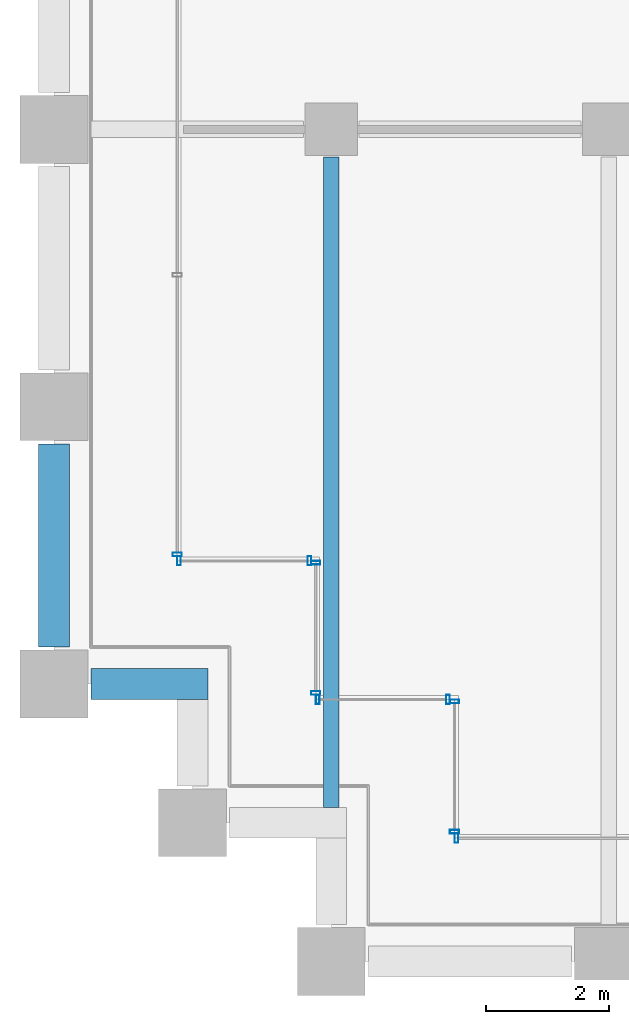
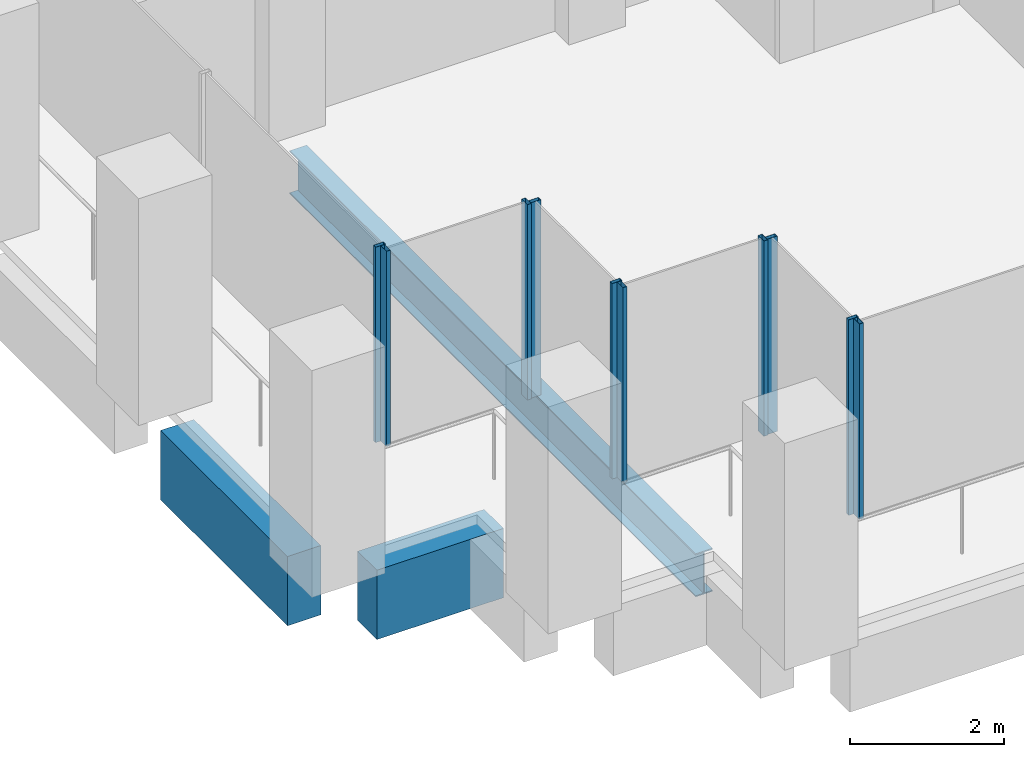
# One storey, part 2 of 55: 10 members, 3 beams, 6 elements without a shape of their own.
"""IFC4 building model written with IfcOpenShell, lengths in metres."""

import ifcopenshell
import ifcopenshell.guid

model = None  # the IFC model being written
_history = None  # IfcOwnerHistory: only IFC2X3 demands one
_inside = {}  # id of a spatial element -> (the spatial element, [elements in it])
_under = {}  # id of a project, library or spatial element -> (it, [spatial elements below it])
_declared = {}  # id of a project -> (the project, [libraries it declares])
_typed = {}  # id of a type object -> (the type object, [elements of that type])
_made_of = {}  # id of a material, layer set ... -> (it, [elements and type objects made of it])


def new_model(schema):
    """Start an empty IFC model of exactly this schema.

    Asked for "IFC4X3", IfcOpenShell would pick the latest addendum, in which some entities
    have other attributes; the version numbers below select the first issue.
    IFC2X3 requires an IfcOwnerHistory on every rooted entity: one is made here for all.
    """
    global model, _history
    if schema == "IFC4X3":
        model = ifcopenshell.file(schema_version=(4, 3, 0, 0))
    else:
        model = ifcopenshell.file(schema=schema)
    _inside.clear()
    _under.clear()
    _declared.clear()
    _typed.clear()
    _made_of.clear()
    _history = None
    if model.schema == "IFC2X3":
        org = make("IfcOrganization", Name="unknown")
        user = make(
            "IfcPersonAndOrganization",
            ThePerson=make("IfcPerson", FamilyName="unknown"),
            TheOrganization=org,
        )
        app = make(
            "IfcApplication",
            ApplicationDeveloper=org,
            Version="unknown",
            ApplicationFullName="unknown",
            ApplicationIdentifier="unknown",
        )
        _history = make(
            "IfcOwnerHistory",
            OwningUser=user,
            OwningApplication=app,
            ChangeAction="ADDED",
            CreationDate=0,
        )
    return model


def make(cls, **values):
    """One entity of the class cls with the attributes given. An attribute that is None is left unset."""
    return model.create_entity(
        cls, **{name: value for name, value in values.items() if value is not None}
    )


def rooted(cls, **values):
    """An entity with a GlobalId (a new one), such as an element, a storey or a relation."""
    return make(cls, GlobalId=ifcopenshell.guid.new(), OwnerHistory=_history, **values)


def si_unit(unit_type, name, prefix=None):
    """IfcSIUnit, for example si_unit("LENGTHUNIT", "METRE", prefix="MILLI")."""
    return make("IfcSIUnit", UnitType=unit_type, Prefix=prefix, Name=name)


def assignment(units):
    """IfcUnitAssignment: the units of a project."""
    return None if units is None else make("IfcUnitAssignment", Units=units)


def point(xyz):
    """IfcCartesianPoint."""
    return None if xyz is None else make("IfcCartesianPoint", Coordinates=xyz)


def direction(xyz):
    """IfcDirection."""
    return None if xyz is None else make("IfcDirection", DirectionRatios=xyz)


def frame(location, z_axis=None, x_axis=None):
    """IfcAxis2Placement3D, a coordinate frame: its origin and axes. An axis left out is left unset."""
    return make(
        "IfcAxis2Placement3D",
        Location=point(location),
        Axis=direction(z_axis),
        RefDirection=direction(x_axis),
    )


def frame_2d(location, x_axis=None):
    """IfcAxis2Placement2D, a coordinate frame in the plane: its origin and x axis."""
    return make(
        "IfcAxis2Placement2D", Location=point(location), RefDirection=direction(x_axis)
    )


def origin():
    """The frame at (0, 0, 0) with its axes left unset."""
    return frame((0.0, 0.0, 0.0))


def origin_2d():
    """The frame at (0, 0) in the plane with its x axis left unset."""
    return frame_2d((0.0, 0.0))


def place(relative_to, where):
    """IfcLocalPlacement: puts the frame where relative to a parent placement (None: the world)."""
    return make(
        "IfcLocalPlacement", PlacementRelTo=relative_to, RelativePlacement=where
    )


def context(
    kind, dimensions, precision=None, world=None, true_north=None, identifier=None
):
    """IfcGeometricRepresentationContext, for example the 3D "Model" context."""
    return make(
        "IfcGeometricRepresentationContext",
        ContextIdentifier=identifier,
        ContextType=kind,
        CoordinateSpaceDimension=dimensions,
        Precision=precision,
        WorldCoordinateSystem=world,
        TrueNorth=true_north,
    )


def subcontext(parent, identifier, kind, view, scale=None):
    """IfcGeometricRepresentationSubContext, for example "Body" below "Model"."""
    return make(
        "IfcGeometricRepresentationSubContext",
        ContextIdentifier=identifier,
        ContextType=kind,
        ParentContext=parent,
        TargetScale=scale,
        TargetView=view,
    )


def project(units=None, contexts=None):
    """IfcProject with its units and contexts."""
    return rooted(
        "IfcProject",
        Name="project",
        RepresentationContexts=contexts,
        UnitsInContext=assignment(units),
    )


def spatial(cls, under=None, at=None, **own):
    """A site, building, storey or space (cls), placed at a placement, below another one or the project."""
    s = rooted(cls, ObjectPlacement=at, **own)
    if under is not None:
        _under.setdefault(under.id(), (under, []))[1].append(s)
    return s


def profile(cls, at=None, kind="AREA", **sizes):
    """A parametric profile (cls). Its sizes go by their IFC names, for example OverallWidth=200.0."""
    return make(cls, ProfileType=kind, Position=at, **sizes)


def rectangle(**sizes):
    """IfcRectangleProfileDef."""
    return profile("IfcRectangleProfileDef", **sizes)


def hollow_rectangle(**sizes):
    """IfcRectangleHollowProfileDef."""
    return profile("IfcRectangleHollowProfileDef", **sizes)


def i_section(**sizes):
    """IfcIShapeProfileDef."""
    return profile("IfcIShapeProfileDef", **sizes)


def extrude(swept, where, along, depth):
    """IfcExtrudedAreaSolid: the profile swept, set in the frame where, extruded along a direction by depth."""
    return make(
        "IfcExtrudedAreaSolid",
        SweptArea=swept,
        Position=where,
        ExtrudedDirection=direction(along),
        Depth=depth,
    )


def shape(context_of_items, identifier, shape_type, items):
    """IfcShapeRepresentation: the items that make up one representation, for example the "Body"."""
    return make(
        "IfcShapeRepresentation",
        ContextOfItems=context_of_items,
        RepresentationIdentifier=identifier,
        RepresentationType=shape_type,
        Items=items,
    )


def material(Name=None, Category=None):
    """IfcMaterial."""
    return make("IfcMaterial", Name=Name, Category=Category)


def material_profile(
    of_material, cross_section, Name=None, Category=None, Priority=None
):
    """IfcMaterialProfile: a cross section and its material."""
    return make(
        "IfcMaterialProfile",
        Name=Name,
        Material=of_material,
        Profile=cross_section,
        Priority=Priority,
        Category=Category,
    )


def profile_set(profiles, Name=None, composite=None):
    """IfcMaterialProfileSet."""
    return make(
        "IfcMaterialProfileSet",
        Name=Name,
        MaterialProfiles=profiles,
        CompositeProfile=composite,
    )


def made_of(thing, what):
    """Note that an element or type object is made of a material, layer set ...; save() writes the relation."""
    if what is not None:
        _made_of.setdefault(what.id(), (what, []))[1].append(thing)
    return thing


def type_object(cls, material=None, **own):
    """A type object (cls), such as IfcWallType, which elements share."""
    return made_of(rooted(cls, **own), material)


def element(
    cls,
    number,
    at=None,
    inside=None,
    cuts=None,
    type_object=None,
    material=None,
    context=None,
    identifier="Body",
    shape_type=None,
    held_by="IfcProductDefinitionShape",
    body=None,
    shapes=None,
    **own,
):
    """One element of the class cls, such as IfcWall. Its Tag is "e" and its number.

    at: its placement. inside: the storey or other place that contains it. cuts: it is an
    opening in that element (IfcRelVoidsElement). A single representation is given by context,
    identifier, shape_type and body (its items); several are given by shapes. held_by: the class
    of the entity that holds the representations. save() writes the other relations.
    """
    e = rooted(cls, Tag="e%d" % number, ObjectPlacement=at, **own)
    if body is not None:
        shapes = [shape(context, identifier, shape_type, body)]
    if shapes is not None:
        e.Representation = make(held_by, Representations=shapes)
    if inside is not None:
        _inside.setdefault(inside.id(), (inside, []))[1].append(e)
    if cuts is not None:
        rooted(
            "IfcRelVoidsElement", RelatingBuildingElement=cuts, RelatedOpeningElement=e
        )
    if type_object is not None:
        _typed.setdefault(type_object.id(), (type_object, []))[1].append(e)
    return made_of(e, material)


def aggregate(whole, parts):
    """IfcRelAggregates: a whole, such as a stair, and the parts it consists of."""
    return rooted("IfcRelAggregates", RelatingObject=whole, RelatedObjects=parts)


def save(model, path):
    """Write the relations noted so far, then the file.

    IfcRelAggregates (storeys below a building ...), IfcRelContainedInSpatialStructure (elements
    in a storey), IfcRelDefinesByType, IfcRelAssociatesMaterial and IfcRelDeclares: one each for
    every whole, place, type object, material and project.
    """
    for whole, parts in _under.values():
        aggregate(whole, parts)
    for where, things in _inside.values():
        rooted(
            "IfcRelContainedInSpatialStructure",
            RelatedElements=things,
            RelatingStructure=where,
        )
    for kind, things in _typed.values():
        rooted("IfcRelDefinesByType", RelatedObjects=things, RelatingType=kind)
    for what, things in _made_of.values():
        rooted("IfcRelAssociatesMaterial", RelatedObjects=things, RelatingMaterial=what)
    for by, libraries in _declared.values():
        rooted("IfcRelDeclares", RelatingContext=by, RelatedDefinitions=libraries)
    model.write(path)


model = new_model("IFC4")

# Units and contexts
model_context = context("Model", 3, precision=1e-05, world=origin(), true_north=direction((0.0, 1.0)))
body_context = subcontext(model_context, "Body", "Model", "MODEL_VIEW")
ifc_project = project(units=[si_unit("LENGTHUNIT", "METRE"), si_unit("AREAUNIT", "SQUARE_METRE"), si_unit("VOLUMEUNIT", "CUBIC_METRE"), si_unit("PLANEANGLEUNIT", "RADIAN"), si_unit("MASSUNIT", "GRAM", prefix="KILO")], contexts=[model_context])

# Site, building, storey
site_placement = place(None, origin())
site = spatial("IfcSite", under=ifc_project, at=site_placement, CompositionType="ELEMENT")
building_placement = place(site_placement, origin())
building = spatial("IfcBuilding", under=site, at=building_placement, Name="Altepetl Exchange Towers", CompositionType="ELEMENT")
storey_placement = place(building_placement, frame((0.0, 0.0, 47.39990234375)))
storey = spatial("IfcBuildingStorey", under=building, at=storey_placement, Name="L10", CompositionType="ELEMENT", Elevation=47.39990234375)

# Beam
ifc_material_1 = material(Name="Steel S355", Category="steel")
ifc_material_profile_1 = material_profile(ifc_material_1, i_section(OverallWidth=0.25390625, OverallDepth=0.68408203125, WebThickness=0.012451171875, FlangeThickness=0.018798828125, at=origin_2d()), Name="W27X94")
ifc_profile_set_1 = profile_set([ifc_material_profile_1], Name="Steel S355")
beam_type_1 = type_object("IfcBeamType", Name="Floor beam W27X94", PredefinedType="BEAM", material=ifc_profile_set_1)
beam_1_placement = place(storey_placement, frame((31.5, 29.5, -0.491943359375), z_axis=(0.0, 1.0, 0.0), x_axis=(-1.0, 0.0, 0.0)))
element("IfcBeam", 1, at=beam_1_placement, inside=storey, type_object=beam_type_1, Name="bm:A:L10:012", PredefinedType="BEAM", context=body_context, shape_type="SweptSolid", body=[
    extrude(i_section(OverallWidth=0.25390625, OverallDepth=0.68408203125, WebThickness=0.012451171875, FlangeThickness=0.018798828125, at=origin_2d()), origin(), (0.0, 0.0, 1.0), 10.550048828125),
])

# Curtain wall, member
ifc_material_2 = material(Name="Aluminium 6063-T6 glazing", Category="aluminium")
curtain_wall_type = type_object("IfcCurtainWallType", Name="Loggia glazing system", PredefinedType="NOTDEFINED", material=ifc_material_2)
curtain_wall_1_placement = place(storey_placement, origin())
curtain_wall_1 = element("IfcCurtainWall", 2, at=curtain_wall_1_placement, inside=storey, type_object=curtain_wall_type, Name="CW1 run", PredefinedType="NOTDEFINED")
ifc_material_3 = material(Name="Aluminium 6063-T6", Category="aluminium")
ifc_material_profile_2 = material_profile(ifc_material_3, hollow_rectangle(XDim=0.06005859375, YDim=0.14990234375, WallThickness=0.0029296875, at=origin_2d()), Name="Mullion 60x150 aluminium")
ifc_profile_set_2 = profile_set([ifc_material_profile_2], Name="Aluminium 6063-T6")
member_type = type_object("IfcMemberType", Name="Mullion 60x150 aluminium", PredefinedType="MULLION", material=ifc_profile_set_2)
member_1_placement = place(storey_placement, frame((29.0, 33.60498046875, 0.0), z_axis=(0.0, 0.0, 1.0), x_axis=(0.0, -1.0, 0.0)))
member_1 = element("IfcMember", 3, at=member_1_placement, type_object=member_type, Name="MU1 mullion", PredefinedType="MULLION", context=body_context, shape_type="SweptSolid", body=[
    extrude(hollow_rectangle(XDim=0.06005859375, YDim=0.14990234375, WallThickness=0.0029296875, at=origin_2d()), origin(), (0.0, 0.0, 1.0), 3.10009765625),
])
aggregate(curtain_wall_1, [member_1])

# Curtain wall, members
curtain_wall_2_placement = place(storey_placement, origin())
curtain_wall_2 = element("IfcCurtainWall", 4, at=curtain_wall_2_placement, inside=storey, type_object=curtain_wall_type, Name="CW1 run", PredefinedType="NOTDEFINED")
member_2_placement = place(storey_placement, frame((29.030029296875, 33.5, 0.0)))
member_2 = element("IfcMember", 5, at=member_2_placement, type_object=member_type, Name="MU1 mullion", PredefinedType="MULLION", context=body_context, shape_type="SweptSolid", body=[
    extrude(hollow_rectangle(XDim=0.06005859375, YDim=0.14990234375, WallThickness=0.0029296875, at=origin_2d()), origin(), (0.0, 0.0, 1.0), 3.10009765625),
])
member_3_placement = place(storey_placement, frame((31.14501953125, 33.5, 0.0)))
member_3 = element("IfcMember", 6, at=member_3_placement, type_object=member_type, Name="MU1 mullion", PredefinedType="MULLION", context=body_context, shape_type="SweptSolid", body=[
    extrude(hollow_rectangle(XDim=0.06005859375, YDim=0.14990234375, WallThickness=0.0029296875, at=origin_2d()), origin(), (0.0, 0.0, 1.0), 3.10009765625),
])
aggregate(curtain_wall_2, [member_2, member_3])

curtain_wall_3_placement = place(storey_placement, origin())
curtain_wall_3 = element("IfcCurtainWall", 7, at=curtain_wall_3_placement, inside=storey, type_object=curtain_wall_type, Name="CW1 run", PredefinedType="NOTDEFINED")
member_4_placement = place(storey_placement, frame((31.25, 33.469970703125, 0.0), z_axis=(0.0, 0.0, 1.0), x_axis=(0.0, -1.0, 0.0)))
member_4 = element("IfcMember", 8, at=member_4_placement, type_object=member_type, Name="MU1 mullion", PredefinedType="MULLION", context=body_context, shape_type="SweptSolid", body=[
    extrude(hollow_rectangle(XDim=0.06005859375, YDim=0.14990234375, WallThickness=0.0029296875, at=origin_2d()), origin(), (0.0, 0.0, 1.0), 3.10009765625),
])
member_5_placement = place(storey_placement, frame((31.25, 31.35498046875, 0.0), z_axis=(0.0, 0.0, 1.0), x_axis=(0.0, -1.0, 0.0)))
member_5 = element("IfcMember", 9, at=member_5_placement, type_object=member_type, Name="MU1 mullion", PredefinedType="MULLION", context=body_context, shape_type="SweptSolid", body=[
    extrude(hollow_rectangle(XDim=0.06005859375, YDim=0.14990234375, WallThickness=0.0029296875, at=origin_2d()), origin(), (0.0, 0.0, 1.0), 3.10009765625),
])
aggregate(curtain_wall_3, [member_4, member_5])

curtain_wall_4_placement = place(storey_placement, origin())
curtain_wall_4 = element("IfcCurtainWall", 10, at=curtain_wall_4_placement, inside=storey, type_object=curtain_wall_type, Name="CW1 run", PredefinedType="NOTDEFINED")
member_6_placement = place(storey_placement, frame((31.280029296875, 31.25, 0.0)))
member_6 = element("IfcMember", 11, at=member_6_placement, type_object=member_type, Name="MU1 mullion", PredefinedType="MULLION", context=body_context, shape_type="SweptSolid", body=[
    extrude(hollow_rectangle(XDim=0.06005859375, YDim=0.14990234375, WallThickness=0.0029296875, at=origin_2d()), origin(), (0.0, 0.0, 1.0), 3.10009765625),
])
member_7_placement = place(storey_placement, frame((33.39501953125, 31.25, 0.0)))
member_7 = element("IfcMember", 12, at=member_7_placement, type_object=member_type, Name="MU1 mullion", PredefinedType="MULLION", context=body_context, shape_type="SweptSolid", body=[
    extrude(hollow_rectangle(XDim=0.06005859375, YDim=0.14990234375, WallThickness=0.0029296875, at=origin_2d()), origin(), (0.0, 0.0, 1.0), 3.10009765625),
])
aggregate(curtain_wall_4, [member_6, member_7])

curtain_wall_5_placement = place(storey_placement, origin())
curtain_wall_5 = element("IfcCurtainWall", 13, at=curtain_wall_5_placement, inside=storey, type_object=curtain_wall_type, Name="CW1 run", PredefinedType="NOTDEFINED")
member_8_placement = place(storey_placement, frame((33.5, 31.219970703125, 0.0), z_axis=(0.0, 0.0, 1.0), x_axis=(0.0, -1.0, 0.0)))
member_8 = element("IfcMember", 14, at=member_8_placement, type_object=member_type, Name="MU1 mullion", PredefinedType="MULLION", context=body_context, shape_type="SweptSolid", body=[
    extrude(hollow_rectangle(XDim=0.06005859375, YDim=0.14990234375, WallThickness=0.0029296875, at=origin_2d()), origin(), (0.0, 0.0, 1.0), 3.10009765625),
])
member_9_placement = place(storey_placement, frame((33.5, 29.10498046875, 0.0), z_axis=(0.0, 0.0, 1.0), x_axis=(0.0, -1.0, 0.0)))
member_9 = element("IfcMember", 15, at=member_9_placement, type_object=member_type, Name="MU1 mullion", PredefinedType="MULLION", context=body_context, shape_type="SweptSolid", body=[
    extrude(hollow_rectangle(XDim=0.06005859375, YDim=0.14990234375, WallThickness=0.0029296875, at=origin_2d()), origin(), (0.0, 0.0, 1.0), 3.10009765625),
])
aggregate(curtain_wall_5, [member_8, member_9])

# Curtain wall, member
curtain_wall_6_placement = place(storey_placement, origin())
curtain_wall_6 = element("IfcCurtainWall", 16, at=curtain_wall_6_placement, inside=storey, type_object=curtain_wall_type, Name="CW1 run", PredefinedType="NOTDEFINED")
member_10_placement = place(storey_placement, frame((33.530029296875, 29.0, 0.0)))
member_10 = element("IfcMember", 17, at=member_10_placement, type_object=member_type, Name="MU1 mullion", PredefinedType="MULLION", context=body_context, shape_type="SweptSolid", body=[
    extrude(hollow_rectangle(XDim=0.06005859375, YDim=0.14990234375, WallThickness=0.0029296875, at=origin_2d()), origin(), (0.0, 0.0, 1.0), 3.10009765625),
])
aggregate(curtain_wall_6, [member_10])

# Beams
ifc_material_4 = material(Name="Concrete C50/60 precast with cantera blanca facing", Category="concrete")
ifc_material_profile_3 = material_profile(ifc_material_4, rectangle(XDim=0.5, YDim=1.10009765625, at=origin_2d()), Name="500 x 1100")
ifc_profile_set_3 = profile_set([ifc_material_profile_3], Name="Concrete C50/60 precast with cantera blanca facing")
beam_type_2 = type_object("IfcBeamType", Name="Spandrel beam 500x1100 cantera blanca", PredefinedType="SPANDREL", material=ifc_profile_set_3)
beam_2_placement = place(storey_placement, frame((27.0, 35.39990234375, -0.699951171875), z_axis=(0.0, -1.0, 0.0), x_axis=(1.0, 0.0, 0.0)))
element("IfcBeam", 18, at=beam_2_placement, inside=storey, type_object=beam_type_2, Name="sp:A:L10:043", PredefinedType="SPANDREL", context=body_context, shape_type="SweptSolid", body=[
    extrude(rectangle(XDim=0.5, YDim=1.10009765625, at=origin_2d()), origin(), (0.0, 0.0, 1.0), 3.2998046875),
])
beam_3_placement = place(storey_placement, frame((27.60009765625, 31.5, -0.699951171875), z_axis=(1.0, 0.0, 0.0), x_axis=(0.0, 1.0, 0.0)))
element("IfcBeam", 19, at=beam_3_placement, inside=storey, type_object=beam_type_2, Name="sp:A:L10:044", PredefinedType="SPANDREL", context=body_context, shape_type="SweptSolid", body=[
    extrude(rectangle(XDim=0.5, YDim=1.10009765625, at=origin_2d()), origin(), (0.0, 0.0, 1.0), 1.89990234375),
])

save(model, "model.ifc")
